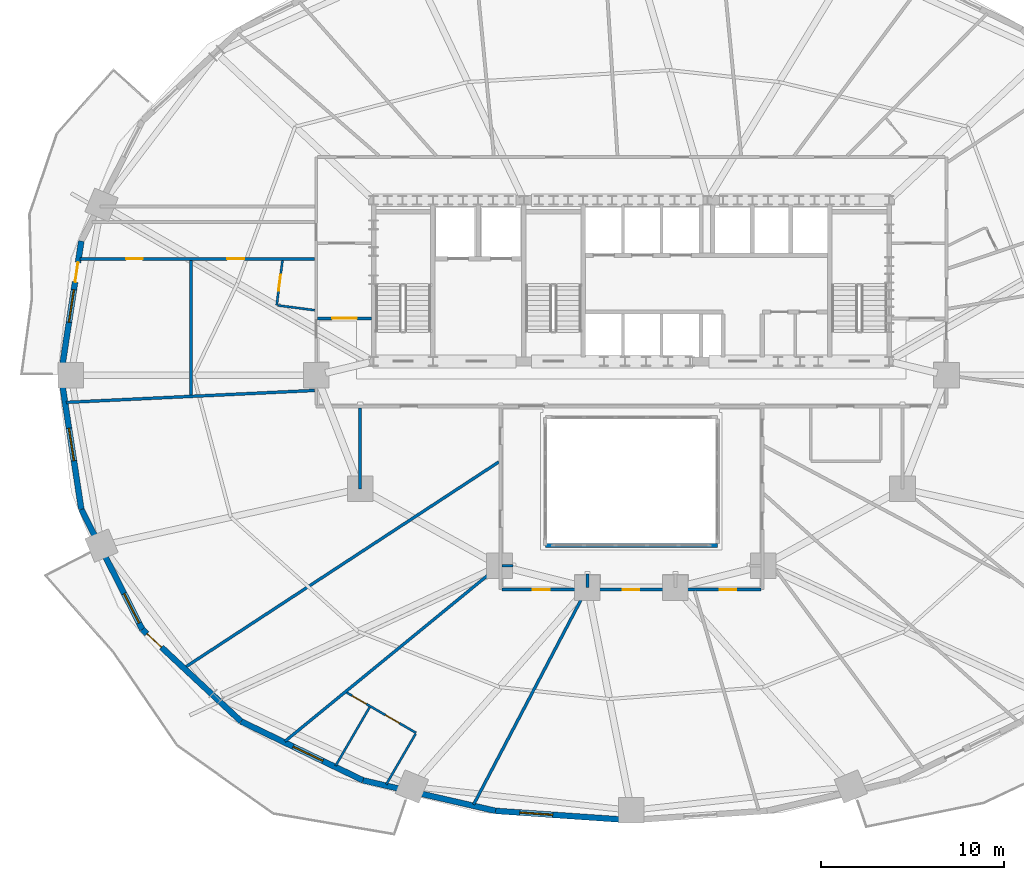
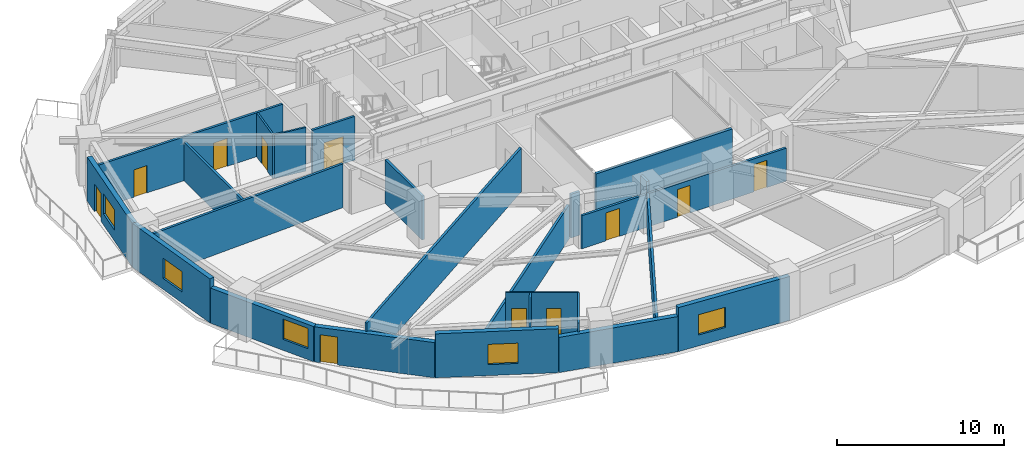
# One storey, part 9 of 17: 24 walls, 11 doors, 5 windows, 16 openings.
"""IFC4 building model written with IfcOpenShell, lengths in metres."""

from ifc_helpers import new_model, si_unit, direction, frame, frame_2d, origin, place, context, subcontext, project, spatial, rectangle, extrude, material, layer, layer_set, type_object, element, fill, save


model = new_model("IFC4")

# Units and contexts
model_context = context("Model", 3, precision=1e-05, world=origin(), true_north=direction((0.0, 1.0)))
body_context = subcontext(model_context, "Body", "Model", "MODEL_VIEW")
ifc_project = project(units=[si_unit("LENGTHUNIT", "METRE"), si_unit("AREAUNIT", "SQUARE_METRE"), si_unit("VOLUMEUNIT", "CUBIC_METRE"), si_unit("PLANEANGLEUNIT", "RADIAN"), si_unit("MASSUNIT", "GRAM", prefix="KILO")], contexts=[model_context])

# Site, building, storey
site_placement = place(None, origin())
site = spatial("IfcSite", under=ifc_project, at=site_placement, CompositionType="ELEMENT")
building_placement = place(site_placement, origin())
building = spatial("IfcBuilding", under=site, at=building_placement, Name="Haldorwick Loom Tower", CompositionType="ELEMENT")
storey_placement = place(building_placement, frame((0.0, 0.0, 65.39990234375)))
storey = spatial("IfcBuildingStorey", under=building, at=storey_placement, Name="L17", CompositionType="ELEMENT", Elevation=65.39990234375)

# Wall, openings, door, window
ifc_material_1 = material(Name="Pressed Clay Face Brick and Insulated Masonry Backup Assembly", Category="masonry")
ifc_layer_1 = layer(ifc_material_1, 0.320068359375, Name="Pressed Clay Face Brick and Insulated Masonry Backup Assembly", Category="masonry")
ifc_layer_set_1 = layer_set([ifc_layer_1], Name="Pressed Clay Face Brick and Insulated Masonry Backup Assembly")
wall_type_1 = type_object("IfcWallType", Name="ARC-WL-EXT320", PredefinedType="STANDARD", material=ifc_layer_set_1)
wall_1_placement = place(storey_placement, frame((5.978271484375, 33.320556640625, 0.0), z_axis=(0.0, 0.0, 1.0), x_axis=(-0.150476322528, -0.988613613278, 0.0)))
wall_1 = element("IfcWall", 1, at=wall_1_placement, inside=storey, type_object=wall_type_1, Name="L17 Brick Pier and Spandrel Wall 12", PredefinedType="STANDARD", context=body_context, shape_type="SweptSolid", body=[
    extrude(rectangle(XDim=7.40478515625, YDim=0.320068359375, at=frame_2d((3.702392578125, 0.0))), origin(), (0.0, 0.0, 1.0), 3.210205078125),
])
opening_1_placement = place(wall_1_placement, frame((1.1806640625, 0.0, 0.0)))
opening_1 = element("IfcOpeningElement", 2, at=opening_1_placement, cuts=wall_1, Name="Opening D-BL11", PredefinedType="OPENING", context=body_context, shape_type="SweptSolid", body=[
    extrude(rectangle(XDim=1.080078125, YDim=2.0400390625, at=frame_2d((0.5400390625, 1.02001953125))), frame((0.0, 0.169921875, 0.0), z_axis=(0.0, -1.0, 0.0), x_axis=(1.0, 0.0, 0.0)), (0.0, 0.0, 1.0), 0.340087890625),
])
opening_2_placement = place(wall_1_placement, frame((2.682373046875, 0.0, 0.800048828125)))
opening_2 = element("IfcOpeningElement", 3, at=opening_2_placement, cuts=wall_1, Name="Opening W-01", PredefinedType="OPENING", context=body_context, shape_type="SweptSolid", body=[
    extrude(rectangle(XDim=1.800048828125, YDim=1.47998046875, at=frame_2d((0.89990234375, 0.739990234375))), frame((0.0, 0.169921875, 0.0), z_axis=(0.0, -1.0, 0.0), x_axis=(1.0, 0.0, 0.0)), (0.0, 0.0, 1.0), 0.340087890625),
])
ifc_material_2 = material(Name="Thermally Broken Anodized Aluminium Curtain Wall Framing", Category="aluminium")
door_type_1 = type_object("IfcDoorType", Name="ARC-DR-BAL110", OperationType="NOTDEFINED", PredefinedType="DOOR", material=ifc_material_2)
door_1_placement = place(opening_1_placement, origin())
door_1 = element("IfcDoor", 4, at=door_1_placement, inside=storey, type_object=door_type_1, Name="L17 Outdoor Terrace Door SLB-L17-BAL_WNW", OperationType="SINGLE_SWING_RIGHT", OverallHeight=2.0400390625, OverallWidth=1.080078125, PredefinedType="DOOR", context=body_context, shape_type="SweptSolid", body=[
    extrude(rectangle(XDim=1.080078125, YDim=2.0400390625, at=frame_2d((0.5400390625, 1.02001953125))), frame((0.0, 0.02490234375, 0.0), z_axis=(0.0, -1.0, 0.0), x_axis=(1.0, 0.0, 0.0)), (0.0, 0.0, 1.0), 0.050048828125),
])
fill(opening_1, door_1)
ifc_material_3 = material(Name="Triple-Glazed Low-E Argon Insulated Glazing Unit", Category="glass")
window_type = type_object("IfcWindowType", Name="ARC-WIN-W180", PartitioningType="SINGLE_PANEL", PredefinedType="WINDOW", material=ifc_material_3)
window_1_placement = place(opening_2_placement, origin())
window_1 = element("IfcWindow", 5, at=window_1_placement, inside=storey, type_object=window_type, Name="L17 Deep-Set Zone 7A Window 12", OverallHeight=1.47998046875, OverallWidth=1.800048828125, PartitioningType="SINGLE_PANEL", PredefinedType="WINDOW", context=body_context, shape_type="SweptSolid", body=[
    extrude(rectangle(XDim=1.800048828125, YDim=1.47998046875, at=frame_2d((0.89990234375, 0.739990234375))), frame((0.0, 0.030029296875, 0.0), z_axis=(0.0, -1.0, 0.0), x_axis=(1.0, 0.0, 0.0)), (0.0, 0.0, 1.0), 0.06005859375),
])
fill(opening_2, window_1)

# Wall, opening, window
wall_2_placement = place(storey_placement, frame((4.864013671875, 26.0, 0.0), z_axis=(0.0, 0.0, 1.0), x_axis=(0.150476322528, -0.988613613278, 0.0)))
wall_2 = element("IfcWall", 6, at=wall_2_placement, inside=storey, type_object=wall_type_1, Name="L17 Brick Pier and Spandrel Wall 13", PredefinedType="STANDARD", context=body_context, shape_type="SweptSolid", body=[
    extrude(rectangle(XDim=7.40478515625, YDim=0.320068359375, at=frame_2d((3.702392578125, 0.0))), origin(), (0.0, 0.0, 1.0), 3.210205078125),
])
opening_3_placement = place(wall_2_placement, frame((2.922607421875, 0.0, 0.800048828125)))
opening_3 = element("IfcOpeningElement", 7, at=opening_3_placement, cuts=wall_2, Name="Opening W-01", PredefinedType="OPENING", context=body_context, shape_type="SweptSolid", body=[
    extrude(rectangle(XDim=1.800048828125, YDim=1.47998046875, at=frame_2d((0.89990234375, 0.739990234375))), frame((0.0, 0.169921875, 0.0), z_axis=(0.0, -1.0, 0.0), x_axis=(1.0, 0.0, 0.0)), (0.0, 0.0, 1.0), 0.340087890625),
])
window_2_placement = place(opening_3_placement, origin())
window_2 = element("IfcWindow", 8, at=window_2_placement, inside=storey, type_object=window_type, Name="L17 Deep-Set Zone 7A Window 13", OverallHeight=1.47998046875, OverallWidth=1.800048828125, PartitioningType="SINGLE_PANEL", PredefinedType="WINDOW", context=body_context, shape_type="SweptSolid", body=[
    extrude(rectangle(XDim=1.800048828125, YDim=1.47998046875, at=frame_2d((0.89990234375, 0.739990234375))), frame((0.0, 0.030029296875, 0.0), z_axis=(0.0, -1.0, 0.0), x_axis=(1.0, 0.0, 0.0)), (0.0, 0.0, 1.0), 0.06005859375),
])
fill(opening_3, window_2)

wall_3_placement = place(storey_placement, frame((5.978271484375, 18.679443359375, 0.0), z_axis=(0.0, 0.0, 1.0), x_axis=(0.452950855928, -0.891535485617, 0.0)))
wall_3 = element("IfcWall", 9, at=wall_3_placement, inside=storey, type_object=wall_type_1, Name="L17 Brick Pier and Spandrel Wall 14", PredefinedType="STANDARD", context=body_context, shape_type="SweptSolid", body=[
    extrude(rectangle(XDim=7.3583984375, YDim=0.320068359375, at=frame_2d((3.67919921875, 0.0))), origin(), (0.0, 0.0, 1.0), 2.569091796875),
])
opening_4_placement = place(wall_3_placement, frame((5.158203125, 0.0, 0.800048828125)))
opening_4 = element("IfcOpeningElement", 10, at=opening_4_placement, cuts=wall_3, Name="Opening W-01", PredefinedType="OPENING", context=body_context, shape_type="SweptSolid", body=[
    extrude(rectangle(XDim=1.800048828125, YDim=1.47998046875, at=frame_2d((0.89990234375, 0.739990234375))), frame((0.0, 0.169921875, 0.0), z_axis=(0.0, -1.0, 0.0), x_axis=(1.0, 0.0, 0.0)), (0.0, 0.0, 1.0), 0.340087890625),
])
window_3_placement = place(opening_4_placement, origin())
window_3 = element("IfcWindow", 11, at=window_3_placement, inside=storey, type_object=window_type, Name="L17 Deep-Set Zone 7A Window 14", OverallHeight=1.47998046875, OverallWidth=1.800048828125, PartitioningType="SINGLE_PANEL", PredefinedType="WINDOW", context=body_context, shape_type="SweptSolid", body=[
    extrude(rectangle(XDim=1.800048828125, YDim=1.47998046875, at=frame_2d((0.89990234375, 0.739990234375))), frame((0.0, 0.030029296875, 0.0), z_axis=(0.0, -1.0, 0.0), x_axis=(1.0, 0.0, 0.0)), (0.0, 0.0, 1.0), 0.06005859375),
])
fill(opening_4, window_3)

# Wall, opening, door
wall_4_placement = place(storey_placement, frame((9.311279296875, 12.119140625, 0.0), z_axis=(0.0, 0.0, 1.0), x_axis=(0.73176101237, -0.681561311091, 0.0)))
wall_4 = element("IfcWall", 12, at=wall_4_placement, inside=storey, type_object=wall_type_1, Name="L17 Brick Pier and Spandrel Wall 15", PredefinedType="STANDARD", context=body_context, shape_type="SweptSolid", body=[
    extrude(rectangle(XDim=7.3583984375, YDim=0.320068359375, at=frame_2d((3.67919921875, 0.0))), origin(), (0.0, 0.0, 1.0), 2.569091796875),
])
opening_5_placement = place(wall_4_placement, frame((0.340087890625, 0.0, 0.0)))
opening_5 = element("IfcOpeningElement", 13, at=opening_5_placement, cuts=wall_4, Name="Opening D-BL11", PredefinedType="OPENING", context=body_context, shape_type="SweptSolid", body=[
    extrude(rectangle(XDim=1.080078125, YDim=2.0400390625, at=frame_2d((0.5400390625, 1.02001953125))), frame((0.0, 0.169921875, 0.0), z_axis=(0.0, -1.0, 0.0), x_axis=(1.0, 0.0, 0.0)), (0.0, 0.0, 1.0), 0.340087890625),
])
door_2_placement = place(opening_5_placement, origin())
door_2 = element("IfcDoor", 14, at=door_2_placement, inside=storey, type_object=door_type_1, Name="L17 Outdoor Terrace Door SLB-L17-BAL_SW", OperationType="SINGLE_SWING_LEFT", OverallHeight=2.0400390625, OverallWidth=1.080078125, PredefinedType="DOOR", context=body_context, shape_type="SweptSolid", body=[
    extrude(rectangle(XDim=1.080078125, YDim=2.0400390625, at=frame_2d((0.5400390625, 1.02001953125))), frame((0.0, 0.02490234375, 0.0), z_axis=(0.0, -1.0, 0.0), x_axis=(1.0, 0.0, 0.0)), (0.0, 0.0, 1.0), 0.050048828125),
])
fill(opening_5, door_2)

# Wall, opening, window
wall_5_placement = place(storey_placement, frame((14.69580078125, 7.10400390625, 0.0), z_axis=(0.0, 0.0, 1.0), x_axis=(0.900295710431, -0.435278800057, 0.0)))
wall_5 = element("IfcWall", 15, at=wall_5_placement, inside=storey, type_object=wall_type_1, Name="L17 Brick Pier and Spandrel Wall 16", PredefinedType="STANDARD", context=body_context, shape_type="SweptSolid", body=[
    extrude(rectangle(XDim=7.39697265625, YDim=0.320068359375, at=frame_2d((3.698486328125, 0.0))), origin(), (0.0, 0.0, 1.0), 3.210205078125),
])
opening_6_placement = place(wall_5_placement, frame((3.158203125, 0.0, 0.800048828125)))
opening_6 = element("IfcOpeningElement", 16, at=opening_6_placement, cuts=wall_5, Name="Opening W-01", PredefinedType="OPENING", context=body_context, shape_type="SweptSolid", body=[
    extrude(rectangle(XDim=1.800048828125, YDim=1.47998046875, at=frame_2d((0.89990234375, 0.739990234375))), frame((0.0, 0.169921875, 0.0), z_axis=(0.0, -1.0, 0.0), x_axis=(1.0, 0.0, 0.0)), (0.0, 0.0, 1.0), 0.340087890625),
])
window_4_placement = place(opening_6_placement, origin())
window_4 = element("IfcWindow", 17, at=window_4_placement, inside=storey, type_object=window_type, Name="L17 Deep-Set Zone 7A Window 16", OverallHeight=1.47998046875, OverallWidth=1.800048828125, PartitioningType="SINGLE_PANEL", PredefinedType="WINDOW", context=body_context, shape_type="SweptSolid", body=[
    extrude(rectangle(XDim=1.800048828125, YDim=1.47998046875, at=frame_2d((0.89990234375, 0.739990234375))), frame((0.0, 0.030029296875, 0.0), z_axis=(0.0, -1.0, 0.0), x_axis=(1.0, 0.0, 0.0)), (0.0, 0.0, 1.0), 0.06005859375),
])
fill(opening_6, window_4)

# Wall
wall_6_placement = place(storey_placement, frame((21.355224609375, 3.88427734375, 0.0), z_axis=(0.0, 0.0, 1.0), x_axis=(0.974522412345, -0.224290142088, 0.0)))
element("IfcWall", 18, at=wall_6_placement, inside=storey, type_object=wall_type_1, Name="L17 Brick Pier and Spandrel Wall 17", PredefinedType="STANDARD", context=body_context, shape_type="SweptSolid", body=[
    extrude(rectangle(XDim=7.422607421875, YDim=0.320068359375, at=frame_2d((3.71142578125, 0.0))), origin(), (0.0, 0.0, 1.0), 2.569091796875),
])

# Wall, opening, window
wall_7_placement = place(storey_placement, frame((28.588623046875, 2.219482421875, 0.0), z_axis=(0.0, 0.0, 1.0), x_axis=(0.997645161917, -0.068586667092, 0.0)))
wall_7 = element("IfcWall", 19, at=wall_7_placement, inside=storey, type_object=wall_type_1, Name="L17 Brick Pier and Spandrel Wall 18", PredefinedType="STANDARD", context=body_context, shape_type="SweptSolid", body=[
    extrude(rectangle(XDim=7.428955078125, YDim=0.320068359375, at=frame_2d((3.71435546875, 0.0))), origin(), (0.0, 0.0, 1.0), 3.210205078125),
])
opening_7_placement = place(wall_7_placement, frame((1.32861328125, 0.0, 0.800048828125)))
opening_7 = element("IfcOpeningElement", 20, at=opening_7_placement, cuts=wall_7, Name="Opening W-01", PredefinedType="OPENING", context=body_context, shape_type="SweptSolid", body=[
    extrude(rectangle(XDim=1.800048828125, YDim=1.47998046875, at=frame_2d((0.89990234375, 0.739990234375))), frame((0.0, 0.169921875, 0.0), z_axis=(0.0, -1.0, 0.0), x_axis=(1.0, 0.0, 0.0)), (0.0, 0.0, 1.0), 0.340087890625),
])
window_5_placement = place(opening_7_placement, origin())
window_5 = element("IfcWindow", 21, at=window_5_placement, inside=storey, type_object=window_type, Name="L17 Deep-Set Zone 7A Window 18", OverallHeight=1.47998046875, OverallWidth=1.800048828125, PartitioningType="SINGLE_PANEL", PredefinedType="WINDOW", context=body_context, shape_type="SweptSolid", body=[
    extrude(rectangle(XDim=1.800048828125, YDim=1.47998046875, at=frame_2d((0.89990234375, 0.739990234375))), frame((0.0, 0.030029296875, 0.0), z_axis=(0.0, -1.0, 0.0), x_axis=(1.0, 0.0, 0.0)), (0.0, 0.0, 1.0), 0.06005859375),
])
fill(opening_7, window_5)

# Wall, opening, door
ifc_material_4 = material(Name="Fire-Rated Type X Gypsum Stud Assembly EI 60")
ifc_layer_2 = layer(ifc_material_4, 0.159912109375, Name="Fire-Rated Type X Gypsum Stud Assembly EI 60")
ifc_layer_set_2 = layer_set([ifc_layer_2], Name="Fire-Rated Type X Gypsum Stud Assembly EI 60")
wall_type_2 = type_object("IfcWallType", Name="ARC-WL-FIRE160", PredefinedType="PARTITIONING", material=ifc_layer_set_2)
wall_8_placement = place(storey_placement, frame((18.883056640625, 29.10009765625, 0.0), z_axis=(0.0, 0.0, 1.0), x_axis=(1.0, 0.0, 0.0)))
wall_8 = element("IfcWall", 22, at=wall_8_placement, inside=storey, type_object=wall_type_2, Name="L17 Residential Fire Partition L17-CR-WSJ", PredefinedType="PARTITIONING", context=body_context, shape_type="SweptSolid", body=[
    extrude(rectangle(XDim=2.923828125, YDim=0.159912109375, at=frame_2d((1.4619140625, 0.0))), origin(), (0.0, 0.0, 1.0), 3.195068359375),
])
opening_8_placement = place(wall_8_placement, frame((0.787109375, 0.0, 0.0)))
opening_8 = element("IfcOpeningElement", 23, at=opening_8_placement, cuts=wall_8, Name="Opening D-CR15", PredefinedType="OPENING", context=body_context, shape_type="SweptSolid", body=[
    extrude(rectangle(XDim=1.35009765625, YDim=2.0, at=frame_2d((0.675048828125, 1.0))), frame((0.0, 0.08984375, 0.0), z_axis=(0.0, -1.0, 0.0), x_axis=(1.0, 0.0, 0.0)), (0.0, 0.0, 1.0), 0.179931640625),
])
ifc_material_5 = material(Name="Thermally Broken Anodized Aluminium and Tempered Glass", Category="aluminium")
door_type_2 = type_object("IfcDoorType", Name="ARC-DR-COR150", OperationType="NOTDEFINED", PredefinedType="DOOR", material=ifc_material_5)
door_3_placement = place(opening_8_placement, origin())
door_3 = element("IfcDoor", 24, at=door_3_placement, inside=storey, type_object=door_type_2, Name="L17 L17 West Residential Corridor to L17 Central Residential Corridor Do", OperationType="DOUBLE_DOOR_SINGLE_SWING", OverallHeight=2.0, OverallWidth=1.35009765625, PredefinedType="DOOR", context=body_context, shape_type="SweptSolid", body=[
    extrude(rectangle(XDim=1.35009765625, YDim=2.0, at=frame_2d((0.675048828125, 1.0))), frame((0.0, 0.02490234375, 0.0), z_axis=(0.0, -1.0, 0.0), x_axis=(1.0, 0.0, 0.0)), (0.0, 0.0, 1.0), 0.050048828125),
])
fill(opening_8, door_3)

# Wall, openings, doors
wall_9_placement = place(storey_placement, frame((28.93310546875, 14.300048828125, 0.0), z_axis=(0.0, 0.0, 1.0), x_axis=(1.0, 0.0, 0.0)))
wall_9 = element("IfcWall", 25, at=wall_9_placement, inside=storey, type_object=wall_type_2, Name="L17 Residential Fire Partition L17-CR-AS", PredefinedType="PARTITIONING", context=body_context, shape_type="SweptSolid", body=[
    extrude(rectangle(XDim=14.1337890625, YDim=0.159912109375, at=frame_2d((7.06689453125, 0.0))), origin(), (0.0, 0.0, 1.0), 2.412109375),
])
opening_9_placement = place(wall_9_placement, frame((6.606689453125, 0.0, 0.0)))
opening_9 = element("IfcOpeningElement", 26, at=opening_9_placement, cuts=wall_9, Name="Opening D-FD88", PredefinedType="OPENING", context=body_context, shape_type="SweptSolid", body=[
    extrude(rectangle(XDim=0.8798828125, YDim=2.02001953125, at=frame_2d((0.43994140625, 1.010009765625))), frame((0.0, 0.08984375, 0.0), z_axis=(0.0, -1.0, 0.0), x_axis=(1.0, 0.0, 0.0)), (0.0, 0.0, 1.0), 0.179931640625),
])
opening_10_placement = place(wall_9_placement, frame((1.671142578125, 0.0, 0.0)))
opening_10 = element("IfcOpeningElement", 27, at=opening_10_placement, cuts=wall_9, Name="Opening D-FL95", PredefinedType="OPENING", context=body_context, shape_type="SweptSolid", body=[
    extrude(rectangle(XDim=0.949951171875, YDim=2.0400390625, at=frame_2d((0.47509765625, 1.02001953125))), frame((0.0, 0.08984375, 0.0), z_axis=(0.0, -1.0, 0.0), x_axis=(1.0, 0.0, 0.0)), (0.0, 0.0, 1.0), 0.179931640625),
])
opening_11_placement = place(wall_9_placement, frame((11.88623046875, 0.0, 0.0)))
opening_11 = element("IfcOpeningElement", 28, at=opening_11_placement, cuts=wall_9, Name="Opening D-FD60A", PredefinedType="OPENING", context=body_context, shape_type="SweptSolid", body=[
    extrude(rectangle(XDim=0.89990234375, YDim=2.0, at=frame_2d((0.449951171875, 1.0))), frame((0.0, 0.08984375, 0.0), z_axis=(0.0, -1.0, 0.0), x_axis=(1.0, 0.0, 0.0)), (0.0, 0.0, 1.0), 0.179931640625),
])
ifc_material_6 = material(Name="Hollow Steel Fire Door Assembly", Category="steel")
door_type_3 = type_object("IfcDoorType", Name="ARC-DR-FD60-88", OperationType="NOTDEFINED", PredefinedType="DOOR", material=ifc_material_6)
door_4_placement = place(opening_9_placement, origin())
door_4 = element("IfcDoor", 29, at=door_4_placement, inside=storey, type_object=door_type_3, Name="L17 L17 South Atrium Corridor to Tenant Seminar Meeting Room 10 Door", OperationType="SINGLE_SWING_RIGHT", OverallHeight=2.02001953125, OverallWidth=0.8798828125, PredefinedType="DOOR", context=body_context, shape_type="SweptSolid", body=[
    extrude(rectangle(XDim=0.8798828125, YDim=2.02001953125, at=frame_2d((0.43994140625, 1.010009765625))), frame((0.0, 0.02490234375, 0.0), z_axis=(0.0, -1.0, 0.0), x_axis=(1.0, 0.0, 0.0)), (0.0, 0.0, 1.0), 0.050048828125),
])
fill(opening_9, door_4)
door_type_4 = type_object("IfcDoorType", Name="ARC-DR-FD60-90", OperationType="NOTDEFINED", PredefinedType="DOOR", material=ifc_material_6)
door_5_placement = place(opening_11_placement, origin())
door_5 = element("IfcDoor", 30, at=door_5_placement, inside=storey, type_object=door_type_4, Name="L17 L17 South Atrium Corridor to Tenant Seminar Meeting Room 5 Door", OperationType="SINGLE_SWING_RIGHT", OverallHeight=2.0, OverallWidth=0.89990234375, PredefinedType="DOOR", context=body_context, shape_type="SweptSolid", body=[
    extrude(rectangle(XDim=0.89990234375, YDim=2.0, at=frame_2d((0.449951171875, 1.0))), frame((0.0, 0.02490234375, 0.0), z_axis=(0.0, -1.0, 0.0), x_axis=(1.0, 0.0, 0.0)), (0.0, 0.0, 1.0), 0.050048828125),
])
fill(opening_11, door_5)
ifc_material_7 = material(Name="Solid Core Birch Architectural Door")
door_type_5 = type_object("IfcDoorType", Name="ARC-DR-FLAT95", OperationType="NOTDEFINED", PredefinedType="DOOR", material=ifc_material_7)
door_6_placement = place(opening_10_placement, origin())
door_6 = element("IfcDoor", 31, at=door_6_placement, inside=storey, type_object=door_type_5, Name="L17 L17 South Atrium Corridor to Unit 17A Kitchen and Living Room Door", OperationType="SINGLE_SWING_RIGHT", OverallHeight=2.0400390625, OverallWidth=0.949951171875, PredefinedType="DOOR", context=body_context, shape_type="SweptSolid", body=[
    extrude(rectangle(XDim=0.949951171875, YDim=2.0400390625, at=frame_2d((0.47509765625, 1.02001953125))), frame((0.0, 0.02490234375, 0.0), z_axis=(0.0, -1.0, 0.0), x_axis=(1.0, 0.0, 0.0)), (0.0, 0.0, 1.0), 0.050048828125),
])
fill(opening_10, door_6)

wall_10_placement = place(storey_placement, frame((5.896240234375, 32.35009765625, 0.0), z_axis=(0.0, 0.0, 1.0), x_axis=(1.0, 0.0, 0.0)))
wall_10 = element("IfcWall", 32, at=wall_10_placement, inside=storey, type_object=wall_type_2, Name="L17 Residential Fire Partition L17-CR-GW0", PredefinedType="PARTITIONING", context=body_context, shape_type="SweptSolid", body=[
    extrude(rectangle(XDim=12.82080078125, YDim=0.159912109375, at=frame_2d((6.410400390625, 0.0))), origin(), (0.0, 0.0, 1.0), 3.195068359375),
])
opening_12_placement = place(wall_10_placement, frame((2.5341796875, 0.0, 0.0)))
opening_12 = element("IfcOpeningElement", 33, at=opening_12_placement, cuts=wall_10, Name="Opening D-FD60A", PredefinedType="OPENING", context=body_context, shape_type="SweptSolid", body=[
    extrude(rectangle(XDim=0.89990234375, YDim=2.0, at=frame_2d((0.449951171875, 1.0))), frame((0.0, 0.08984375, 0.0), z_axis=(0.0, -1.0, 0.0), x_axis=(1.0, 0.0, 0.0)), (0.0, 0.0, 1.0), 0.179931640625),
])
opening_13_placement = place(wall_10_placement, frame((8.035400390625, 0.0, 0.0)))
opening_13 = element("IfcOpeningElement", 34, at=opening_13_placement, cuts=wall_10, Name="Opening D-FL95", PredefinedType="OPENING", context=body_context, shape_type="SweptSolid", body=[
    extrude(rectangle(XDim=0.949951171875, YDim=2.0400390625, at=frame_2d((0.47509765625, 1.02001953125))), frame((0.0, 0.08984375, 0.0), z_axis=(0.0, -1.0, 0.0), x_axis=(1.0, 0.0, 0.0)), (0.0, 0.0, 1.0), 0.179931640625),
])
door_7_placement = place(opening_12_placement, origin())
door_7 = element("IfcDoor", 35, at=door_7_placement, inside=storey, type_object=door_type_4, Name="L17 L17 West Daylight Corridor to Wellness Therapy Room 2 Door", OperationType="SINGLE_SWING_LEFT", OverallHeight=2.0, OverallWidth=0.89990234375, PredefinedType="DOOR", context=body_context, shape_type="SweptSolid", body=[
    extrude(rectangle(XDim=0.89990234375, YDim=2.0, at=frame_2d((0.449951171875, 1.0))), frame((0.0, 0.02490234375, 0.0), z_axis=(0.0, -1.0, 0.0), x_axis=(1.0, 0.0, 0.0)), (0.0, 0.0, 1.0), 0.050048828125),
])
fill(opening_12, door_7)
door_8_placement = place(opening_13_placement, origin())
door_8 = element("IfcDoor", 36, at=door_8_placement, inside=storey, type_object=door_type_5, Name="L17 L17 West Daylight Corridor to Unit 17F Kitchen and Studio Living Roo", OperationType="SINGLE_SWING_RIGHT", OverallHeight=2.0400390625, OverallWidth=0.949951171875, PredefinedType="DOOR", context=body_context, shape_type="SweptSolid", body=[
    extrude(rectangle(XDim=0.949951171875, YDim=2.0400390625, at=frame_2d((0.47509765625, 1.02001953125))), frame((0.0, 0.02490234375, 0.0), z_axis=(0.0, -1.0, 0.0), x_axis=(1.0, 0.0, 0.0)), (0.0, 0.0, 1.0), 0.050048828125),
])
fill(opening_13, door_8)

# Walls
wall_11_placement = place(storey_placement, frame((33.50390625, 14.217041015625, 0.0), z_axis=(0.0, 0.0, 1.0), x_axis=(-0.464675028533, -0.885481291648, 0.0)))
element("IfcWall", 37, at=wall_11_placement, inside=storey, type_object=wall_type_2, Name="L17 Residential Fire Partition L17-ICR-07", PredefinedType="PARTITIONING", context=body_context, shape_type="SweptSolid", body=[
    extrude(rectangle(XDim=13.161865234375, YDim=0.159912109375, at=frame_2d((6.5810546875, 0.0))), origin(), (0.0, 0.0, 1.0), 2.489990234375),
])
wall_12_placement = place(storey_placement, frame((28.76708984375, 15.572998046875, 0.0), z_axis=(0.0, 0.0, 1.0), x_axis=(-0.773787106527, -0.633445746511, 0.0)))
element("IfcWall", 38, at=wall_12_placement, inside=storey, type_object=wall_type_2, Name="L17 Residential Fire Partition L17-ICR-09", PredefinedType="PARTITIONING", context=body_context, shape_type="SweptSolid", body=[
    extrude(rectangle(XDim=15.0859375, YDim=0.159912109375, at=frame_2d((7.54296875, 0.0))), origin(), (0.0, 0.0, 1.0), 2.489990234375),
])
wall_13_placement = place(storey_placement, frame((33.60009765625, 15.14990234375, 0.0), z_axis=(0.0, 0.0, 1.0), x_axis=(0.0, -1.0, 0.0)))
element("IfcWall", 39, at=wall_13_placement, inside=storey, type_object=wall_type_2, Name="L17 Residential Fire Partition L17-ICA-06", PredefinedType="PARTITIONING", context=body_context, shape_type="SweptSolid", body=[
    extrude(rectangle(XDim=0.75, YDim=0.159912109375, at=frame_2d((0.375, 0.0))), origin(), (0.0, 0.0, 1.0), 3.195068359375),
])
wall_14_placement = place(storey_placement, frame((29.550048828125, 15.60009765625, 0.0), z_axis=(0.0, 0.0, 1.0), x_axis=(-1.0, 0.0, 0.0)))
element("IfcWall", 40, at=wall_14_placement, inside=storey, type_object=wall_type_2, Name="L17 Residential Fire Partition L17-ICA-08", PredefinedType="PARTITIONING", context=body_context, shape_type="SweptSolid", body=[
    extrude(rectangle(XDim=0.616943359375, YDim=0.159912109375, at=frame_2d((0.30859375, 0.0))), origin(), (0.0, 0.0, 1.0), 3.195068359375),
])
wall_15_placement = place(storey_placement, frame((21.199951171875, 24.217041015625, 0.0), z_axis=(0.0, 0.0, 1.0), x_axis=(0.0, -1.0, 0.0)))
element("IfcWall", 41, at=wall_15_placement, inside=storey, type_object=wall_type_2, Name="L17 Residential Fire Partition L17-ICA-10", PredefinedType="PARTITIONING", context=body_context, shape_type="SweptSolid", body=[
    extrude(rectangle(XDim=4.4169921875, YDim=0.159912109375, at=frame_2d((2.20849609375, 0.0))), origin(), (0.0, 0.0, 1.0), 3.195068359375),
])
wall_16_placement = place(storey_placement, frame((18.717041015625, 25.16748046875, 0.0), z_axis=(0.0, 0.0, 1.0), x_axis=(-0.998842403031, -0.048102535342, 0.0)))
element("IfcWall", 42, at=wall_16_placement, inside=storey, type_object=wall_type_2, Name="L17 Suite Split Wall", PredefinedType="PARTITIONING", context=body_context, shape_type="SweptSolid", body=[
    extrude(rectangle(XDim=13.57666015625, YDim=0.159912109375, at=frame_2d((6.788330078125, 0.0))), origin(), (0.0, 0.0, 1.0), 3.195068359375),
])
wall_17_placement = place(storey_placement, frame((28.76708984375, 21.265625, 0.0), z_axis=(0.0, 0.0, 1.0), x_axis=(-0.836705985734, -0.54765234724, 0.0)))
element("IfcWall", 43, at=wall_17_placement, inside=storey, type_object=wall_type_2, Name="L17 Suite Split Wall", PredefinedType="PARTITIONING", context=body_context, shape_type="SweptSolid", body=[
    extrude(rectangle(XDim=20.48193359375, YDim=0.159912109375, at=frame_2d((10.240966796875, 0.0))), origin(), (0.0, 0.0, 1.0), 3.195068359375),
])
wall_18_placement = place(storey_placement, frame((11.958740234375, 32.26708984375, 0.0), z_axis=(0.0, 0.0, 1.0), x_axis=(0.0, -1.0, 0.0)))
element("IfcWall", 44, at=wall_18_placement, inside=storey, type_object=wall_type_2, Name="L17 Suite Split Wall", PredefinedType="PARTITIONING", context=body_context, shape_type="SweptSolid", body=[
    extrude(rectangle(XDim=7.342041015625, YDim=0.159912109375, at=frame_2d((3.6708984375, 0.0))), origin(), (0.0, 0.0, 1.0), 2.8271484375),
])
ifc_material_8 = material(Name="Fire-Rated Type X Gypsum Stud Assembly EI 120")
ifc_layer_3 = layer(ifc_material_8, 0.199951171875, Name="Fire-Rated Type X Gypsum Stud Assembly EI 120")
ifc_layer_set_3 = layer_set([ifc_layer_3], Name="Fire-Rated Type X Gypsum Stud Assembly EI 120")
wall_type_3 = type_object("IfcWallType", Name="ARC-WL-FIRE200", PredefinedType="PARTITIONING", material=ifc_layer_set_3)
wall_19_placement = place(storey_placement, frame((40.699951171875, 16.699951171875, 0.0), z_axis=(0.0, 0.0, 1.0), x_axis=(-1.0, 0.0, 0.0)))
element("IfcWall", 45, at=wall_19_placement, inside=storey, type_object=wall_type_3, Name="L17 Atrium Fire Enclosure Wall S", PredefinedType="PARTITIONING", context=body_context, shape_type="SweptSolid", body=[
    extrude(rectangle(XDim=9.39990234375, YDim=0.199951171875, at=frame_2d((4.699951171875, 0.0))), origin(), (0.0, 0.0, 1.0), 3.195068359375),
])

# Wall, openings, doors
ifc_material_9 = material(Name="Acoustic Gypsum Stud Assembly STC 55")
ifc_layer_4 = layer(ifc_material_9, 0.1201171875, Name="Acoustic Gypsum Stud Assembly STC 55")
ifc_layer_set_4 = layer_set([ifc_layer_4], Name="Acoustic Gypsum Stud Assembly STC 55")
wall_type_4 = type_object("IfcWallType", Name="ARC-WL-PART120", PredefinedType="PARTITIONING", material=ifc_layer_set_4)
wall_20_placement = place(storey_placement, frame((20.469482421875, 8.673095703125, 0.0), z_axis=(0.0, 0.0, 1.0), x_axis=(0.864621628779, -0.502423565378, 0.0)))
wall_20 = element("IfcWall", 46, at=wall_20_placement, inside=storey, type_object=wall_type_4, Name="L17 Unit 17A Interior Partition", PredefinedType="PARTITIONING", context=body_context, shape_type="SweptSolid", body=[
    extrude(rectangle(XDim=4.375244140625, YDim=0.1201171875, at=frame_2d((2.1875, 0.0))), origin(), (0.0, 0.0, 1.0), 3.195068359375),
])
opening_14_placement = place(wall_20_placement, frame((2.4384765625, 0.0, 0.0)))
opening_14 = element("IfcOpeningElement", 47, at=opening_14_placement, cuts=wall_20, Name="Opening D-BT88", PredefinedType="OPENING", context=body_context, shape_type="SweptSolid", body=[
    extrude(rectangle(XDim=0.8798828125, YDim=2.02001953125, at=frame_2d((0.43994140625, 1.010009765625))), frame((0.0, 0.070068359375, 0.0), z_axis=(0.0, -1.0, 0.0), x_axis=(1.0, 0.0, 0.0)), (0.0, 0.0, 1.0), 0.14013671875),
])
opening_15_placement = place(wall_20_placement, frame((0.340087890625, 0.0, 0.0)))
opening_15 = element("IfcOpeningElement", 48, at=opening_15_placement, cuts=wall_20, Name="Opening D-IN90", PredefinedType="OPENING", context=body_context, shape_type="SweptSolid", body=[
    extrude(rectangle(XDim=0.89990234375, YDim=2.0400390625, at=frame_2d((0.449951171875, 1.02001953125))), frame((0.0, 0.070068359375, 0.0), z_axis=(0.0, -1.0, 0.0), x_axis=(1.0, 0.0, 0.0)), (0.0, 0.0, 1.0), 0.14013671875),
])
door_type_6 = type_object("IfcDoorType", Name="ARC-DR-BATH88", OperationType="NOTDEFINED", PredefinedType="DOOR", material=ifc_material_7)
door_9_placement = place(opening_14_placement, origin())
door_9 = element("IfcDoor", 49, at=door_9_placement, inside=storey, type_object=door_type_6, Name="L17 Unit 17A Kitchen and Living Room to Unit 17A Bathroom Door", OperationType="SINGLE_SWING_LEFT", OverallHeight=2.02001953125, OverallWidth=0.8798828125, PredefinedType="DOOR", context=body_context, shape_type="SweptSolid", body=[
    extrude(rectangle(XDim=0.8798828125, YDim=2.02001953125, at=frame_2d((0.43994140625, 1.010009765625))), frame((0.0, 0.02490234375, 0.0), z_axis=(0.0, -1.0, 0.0), x_axis=(1.0, 0.0, 0.0)), (0.0, 0.0, 1.0), 0.050048828125),
])
fill(opening_14, door_9)
door_type_7 = type_object("IfcDoorType", Name="ARC-DR-INT90", OperationType="NOTDEFINED", PredefinedType="DOOR", material=ifc_material_7)
door_10_placement = place(opening_15_placement, origin())
door_10 = element("IfcDoor", 50, at=door_10_placement, inside=storey, type_object=door_type_7, Name="L17 Unit 17A Kitchen and Living Room to Unit 17A Bedroom 1 Door", OperationType="SINGLE_SWING_RIGHT", OverallHeight=2.0400390625, OverallWidth=0.89990234375, PredefinedType="DOOR", context=body_context, shape_type="SweptSolid", body=[
    extrude(rectangle(XDim=0.89990234375, YDim=2.0400390625, at=frame_2d((0.449951171875, 1.02001953125))), frame((0.0, 0.02490234375, 0.0), z_axis=(0.0, -1.0, 0.0), x_axis=(1.0, 0.0, 0.0)), (0.0, 0.0, 1.0), 0.050048828125),
])
fill(opening_15, door_10)

# Walls
wall_21_placement = place(storey_placement, frame((24.220703125, 6.42041015625, 0.0), z_axis=(0.0, 0.0, 1.0), x_axis=(-0.502386454941, -0.864643192243, 0.0)))
element("IfcWall", 51, at=wall_21_placement, inside=storey, type_object=wall_type_4, Name="L17 Unit 17A Interior Partition", PredefinedType="PARTITIONING", context=body_context, shape_type="SweptSolid", body=[
    extrude(rectangle(XDim=3.19189453125, YDim=0.1201171875, at=frame_2d((1.595947265625, 0.0))), origin(), (0.0, 0.0, 1.0), 3.195068359375),
])
wall_22_placement = place(storey_placement, frame((21.714599609375, 7.87646484375, 0.0), z_axis=(0.0, 0.0, 1.0), x_axis=(-0.502371323151, -0.864651984139, 0.0)))
element("IfcWall", 52, at=wall_22_placement, inside=storey, type_object=wall_type_4, Name="L17 Unit 17A Interior Partition", PredefinedType="PARTITIONING", context=body_context, shape_type="SweptSolid", body=[
    extrude(rectangle(XDim=3.6962890625, YDim=0.1201171875, at=frame_2d((1.84814453125, 0.0))), origin(), (0.0, 0.0, 1.0), 3.195068359375),
])

# Wall, opening, door
wall_23_placement = place(storey_placement, frame((16.959716796875, 32.26708984375, 0.0), z_axis=(0.0, 0.0, 1.0), x_axis=(-0.128566617431, -0.991700874701, 0.0)))
wall_23 = element("IfcWall", 53, at=wall_23_placement, inside=storey, type_object=wall_type_4, Name="L17 Unit 17F Interior Partition", PredefinedType="PARTITIONING", context=body_context, shape_type="SweptSolid", body=[
    extrude(rectangle(XDim=2.472412109375, YDim=0.1201171875, at=frame_2d((1.236328125, 0.0))), origin(), (0.0, 0.0, 1.0), 3.195068359375),
])
opening_16_placement = place(wall_23_placement, frame((0.796142578125, 0.0, 0.0)))
opening_16 = element("IfcOpeningElement", 54, at=opening_16_placement, cuts=wall_23, Name="Opening D-BT88", PredefinedType="OPENING", context=body_context, shape_type="SweptSolid", body=[
    extrude(rectangle(XDim=0.8798828125, YDim=2.02001953125, at=frame_2d((0.43994140625, 1.010009765625))), frame((0.0, 0.070068359375, 0.0), z_axis=(0.0, -1.0, 0.0), x_axis=(1.0, 0.0, 0.0)), (0.0, 0.0, 1.0), 0.14013671875),
])
door_11_placement = place(opening_16_placement, origin())
door_11 = element("IfcDoor", 55, at=door_11_placement, inside=storey, type_object=door_type_6, Name="L17 Unit 17F Bathroom to Unit 17F Kitchen and Studio Living Room Door", OperationType="SINGLE_SWING_RIGHT", OverallHeight=2.02001953125, OverallWidth=0.8798828125, PredefinedType="DOOR", context=body_context, shape_type="SweptSolid", body=[
    extrude(rectangle(XDim=0.8798828125, YDim=2.02001953125, at=frame_2d((0.43994140625, 1.010009765625))), frame((0.0, 0.02490234375, 0.0), z_axis=(0.0, -1.0, 0.0), x_axis=(1.0, 0.0, 0.0)), (0.0, 0.0, 1.0), 0.050048828125),
])
fill(opening_16, door_11)

# Wall
wall_24_placement = place(storey_placement, frame((18.717041015625, 29.546142578125, 0.0), z_axis=(0.0, 0.0, 1.0), x_axis=(-0.991697393923, 0.128593463622, 0.0)))
element("IfcWall", 56, at=wall_24_placement, inside=storey, type_object=wall_type_4, Name="L17 Unit 17F Interior Partition", PredefinedType="PARTITIONING", context=body_context, shape_type="SweptSolid", body=[
    extrude(rectangle(XDim=2.029541015625, YDim=0.1201171875, at=frame_2d((1.0146484375, 0.0))), origin(), (0.0, 0.0, 1.0), 3.195068359375),
])

save(model, "model.ifc")
